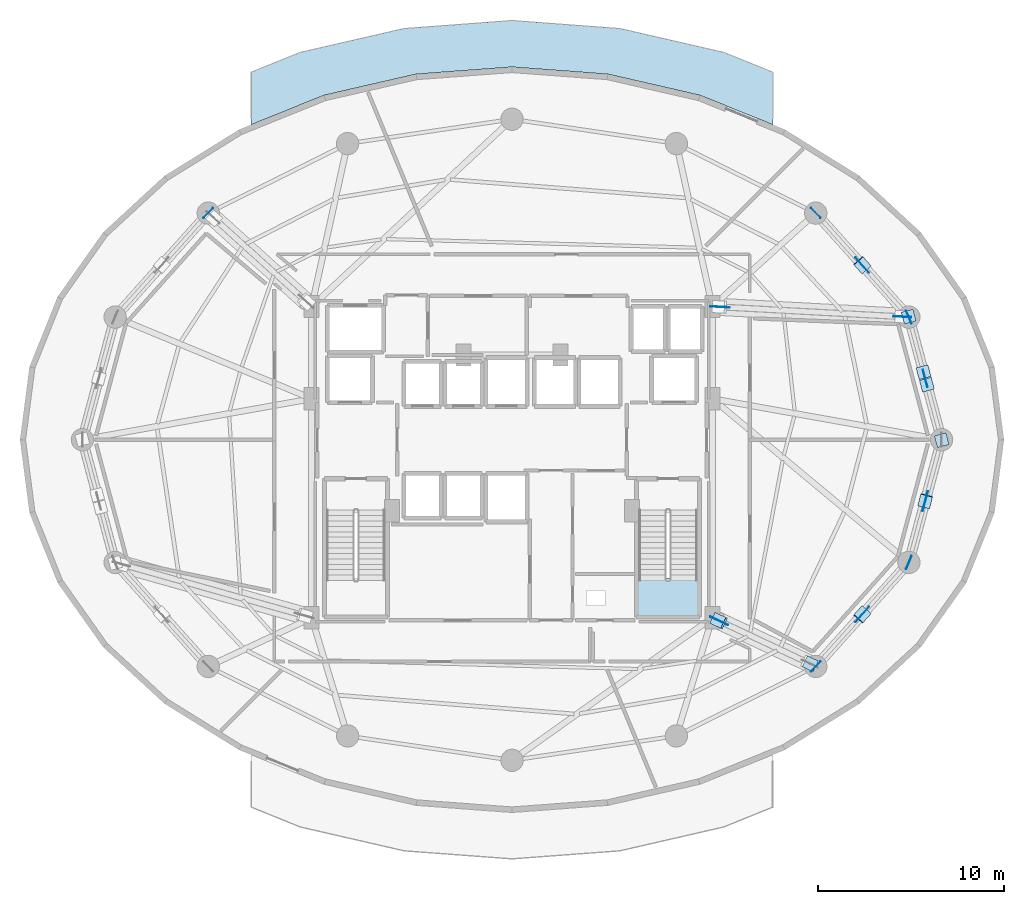
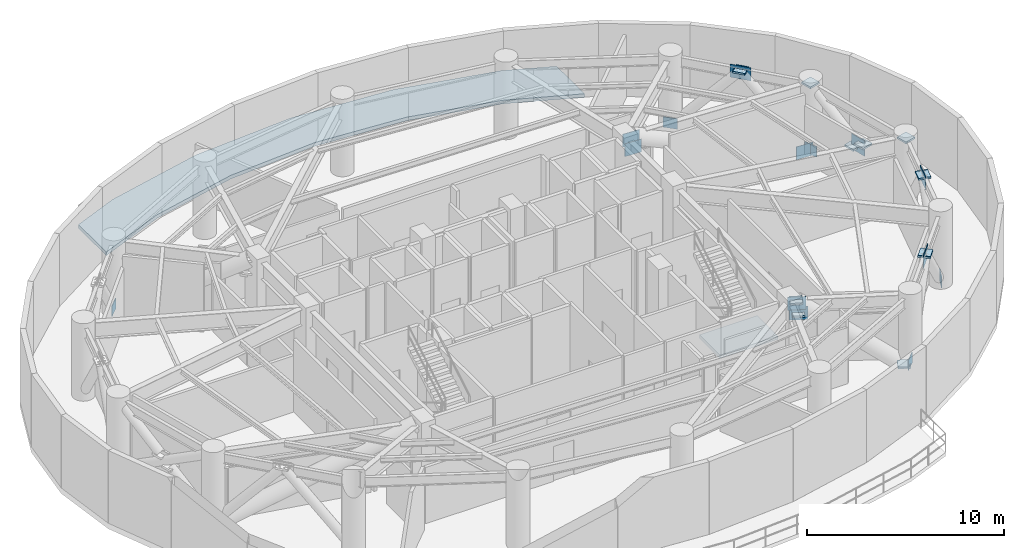
# One storey, part 5 of 10: 27 plates, 2 slabs, 1 element without a shape of its own.
"""IFC4 building model written with IfcOpenShell, lengths in metres."""

import ifcopenshell
import ifcopenshell.guid

model = None  # the IFC model being written
_history = None  # IfcOwnerHistory: only IFC2X3 demands one
_inside = {}  # id of a spatial element -> (the spatial element, [elements in it])
_under = {}  # id of a project, library or spatial element -> (it, [spatial elements below it])
_declared = {}  # id of a project -> (the project, [libraries it declares])
_typed = {}  # id of a type object -> (the type object, [elements of that type])
_made_of = {}  # id of a material, layer set ... -> (it, [elements and type objects made of it])


def new_model(schema):
    """Start an empty IFC model of exactly this schema.

    Asked for "IFC4X3", IfcOpenShell would pick the latest addendum, in which some entities
    have other attributes; the version numbers below select the first issue.
    IFC2X3 requires an IfcOwnerHistory on every rooted entity: one is made here for all.
    """
    global model, _history
    if schema == "IFC4X3":
        model = ifcopenshell.file(schema_version=(4, 3, 0, 0))
    else:
        model = ifcopenshell.file(schema=schema)
    _inside.clear()
    _under.clear()
    _declared.clear()
    _typed.clear()
    _made_of.clear()
    _history = None
    if model.schema == "IFC2X3":
        org = make("IfcOrganization", Name="unknown")
        user = make(
            "IfcPersonAndOrganization",
            ThePerson=make("IfcPerson", FamilyName="unknown"),
            TheOrganization=org,
        )
        app = make(
            "IfcApplication",
            ApplicationDeveloper=org,
            Version="unknown",
            ApplicationFullName="unknown",
            ApplicationIdentifier="unknown",
        )
        _history = make(
            "IfcOwnerHistory",
            OwningUser=user,
            OwningApplication=app,
            ChangeAction="ADDED",
            CreationDate=0,
        )
    return model


def make(cls, **values):
    """One entity of the class cls with the attributes given. An attribute that is None is left unset."""
    return model.create_entity(
        cls, **{name: value for name, value in values.items() if value is not None}
    )


def rooted(cls, **values):
    """An entity with a GlobalId (a new one), such as an element, a storey or a relation."""
    return make(cls, GlobalId=ifcopenshell.guid.new(), OwnerHistory=_history, **values)


def si_unit(unit_type, name, prefix=None):
    """IfcSIUnit, for example si_unit("LENGTHUNIT", "METRE", prefix="MILLI")."""
    return make("IfcSIUnit", UnitType=unit_type, Prefix=prefix, Name=name)


def assignment(units):
    """IfcUnitAssignment: the units of a project."""
    return None if units is None else make("IfcUnitAssignment", Units=units)


def point(xyz):
    """IfcCartesianPoint."""
    return None if xyz is None else make("IfcCartesianPoint", Coordinates=xyz)


def direction(xyz):
    """IfcDirection."""
    return None if xyz is None else make("IfcDirection", DirectionRatios=xyz)


def frame(location, z_axis=None, x_axis=None):
    """IfcAxis2Placement3D, a coordinate frame: its origin and axes. An axis left out is left unset."""
    return make(
        "IfcAxis2Placement3D",
        Location=point(location),
        Axis=direction(z_axis),
        RefDirection=direction(x_axis),
    )


def frame_2d(location, x_axis=None):
    """IfcAxis2Placement2D, a coordinate frame in the plane: its origin and x axis."""
    return make(
        "IfcAxis2Placement2D", Location=point(location), RefDirection=direction(x_axis)
    )


def origin():
    """The frame at (0, 0, 0) with its axes left unset."""
    return frame((0.0, 0.0, 0.0))


def origin_2d():
    """The frame at (0, 0) in the plane with its x axis left unset."""
    return frame_2d((0.0, 0.0))


def place(relative_to, where):
    """IfcLocalPlacement: puts the frame where relative to a parent placement (None: the world)."""
    return make(
        "IfcLocalPlacement", PlacementRelTo=relative_to, RelativePlacement=where
    )


def context(
    kind, dimensions, precision=None, world=None, true_north=None, identifier=None
):
    """IfcGeometricRepresentationContext, for example the 3D "Model" context."""
    return make(
        "IfcGeometricRepresentationContext",
        ContextIdentifier=identifier,
        ContextType=kind,
        CoordinateSpaceDimension=dimensions,
        Precision=precision,
        WorldCoordinateSystem=world,
        TrueNorth=true_north,
    )


def subcontext(parent, identifier, kind, view, scale=None):
    """IfcGeometricRepresentationSubContext, for example "Body" below "Model"."""
    return make(
        "IfcGeometricRepresentationSubContext",
        ContextIdentifier=identifier,
        ContextType=kind,
        ParentContext=parent,
        TargetScale=scale,
        TargetView=view,
    )


def project(units=None, contexts=None):
    """IfcProject with its units and contexts."""
    return rooted(
        "IfcProject",
        Name="project",
        RepresentationContexts=contexts,
        UnitsInContext=assignment(units),
    )


def spatial(cls, under=None, at=None, **own):
    """A site, building, storey or space (cls), placed at a placement, below another one or the project."""
    s = rooted(cls, ObjectPlacement=at, **own)
    if under is not None:
        _under.setdefault(under.id(), (under, []))[1].append(s)
    return s


def polyline(points):
    """IfcPolyline through the points."""
    return make("IfcPolyline", Points=[point(p) for p in points])


def profile(cls, at=None, kind="AREA", **sizes):
    """A parametric profile (cls). Its sizes go by their IFC names, for example OverallWidth=200.0."""
    return make(cls, ProfileType=kind, Position=at, **sizes)


def rectangle(**sizes):
    """IfcRectangleProfileDef."""
    return profile("IfcRectangleProfileDef", **sizes)


def outline(outer, holes=None, kind="AREA"):
    """IfcArbitraryClosedProfileDef: a profile drawn as a closed curve; with holes, ...WithVoids."""
    if holes is None:
        return make("IfcArbitraryClosedProfileDef", ProfileType=kind, OuterCurve=outer)
    return make(
        "IfcArbitraryProfileDefWithVoids",
        ProfileType=kind,
        OuterCurve=outer,
        InnerCurves=holes,
    )


def extrude(swept, where, along, depth):
    """IfcExtrudedAreaSolid: the profile swept, set in the frame where, extruded along a direction by depth."""
    return make(
        "IfcExtrudedAreaSolid",
        SweptArea=swept,
        Position=where,
        ExtrudedDirection=direction(along),
        Depth=depth,
    )


def shape(context_of_items, identifier, shape_type, items):
    """IfcShapeRepresentation: the items that make up one representation, for example the "Body"."""
    return make(
        "IfcShapeRepresentation",
        ContextOfItems=context_of_items,
        RepresentationIdentifier=identifier,
        RepresentationType=shape_type,
        Items=items,
    )


def material(Name=None, Category=None):
    """IfcMaterial."""
    return make("IfcMaterial", Name=Name, Category=Category)


def layer(
    of_material, thickness, ventilated=None, Name=None, Category=None, Priority=None
):
    """IfcMaterialLayer: one layer of a wall or slab, of a material (None: an air gap)."""
    return make(
        "IfcMaterialLayer",
        Material=of_material,
        LayerThickness=thickness,
        IsVentilated=ventilated,
        Name=Name,
        Category=Category,
        Priority=Priority,
    )


def layer_set(layers, Name=None):
    """IfcMaterialLayerSet."""
    return make("IfcMaterialLayerSet", MaterialLayers=layers, LayerSetName=Name)


def made_of(thing, what):
    """Note that an element or type object is made of a material, layer set ...; save() writes the relation."""
    if what is not None:
        _made_of.setdefault(what.id(), (what, []))[1].append(thing)
    return thing


def type_object(cls, material=None, **own):
    """A type object (cls), such as IfcWallType, which elements share."""
    return made_of(rooted(cls, **own), material)


def element(
    cls,
    number,
    at=None,
    inside=None,
    cuts=None,
    type_object=None,
    material=None,
    context=None,
    identifier="Body",
    shape_type=None,
    held_by="IfcProductDefinitionShape",
    body=None,
    shapes=None,
    **own,
):
    """One element of the class cls, such as IfcWall. Its Tag is "e" and its number.

    at: its placement. inside: the storey or other place that contains it. cuts: it is an
    opening in that element (IfcRelVoidsElement). A single representation is given by context,
    identifier, shape_type and body (its items); several are given by shapes. held_by: the class
    of the entity that holds the representations. save() writes the other relations.
    """
    e = rooted(cls, Tag="e%d" % number, ObjectPlacement=at, **own)
    if body is not None:
        shapes = [shape(context, identifier, shape_type, body)]
    if shapes is not None:
        e.Representation = make(held_by, Representations=shapes)
    if inside is not None:
        _inside.setdefault(inside.id(), (inside, []))[1].append(e)
    if cuts is not None:
        rooted(
            "IfcRelVoidsElement", RelatingBuildingElement=cuts, RelatedOpeningElement=e
        )
    if type_object is not None:
        _typed.setdefault(type_object.id(), (type_object, []))[1].append(e)
    return made_of(e, material)


def aggregate(whole, parts):
    """IfcRelAggregates: a whole, such as a stair, and the parts it consists of."""
    return rooted("IfcRelAggregates", RelatingObject=whole, RelatedObjects=parts)


def save(model, path):
    """Write the relations noted so far, then the file.

    IfcRelAggregates (storeys below a building ...), IfcRelContainedInSpatialStructure (elements
    in a storey), IfcRelDefinesByType, IfcRelAssociatesMaterial and IfcRelDeclares: one each for
    every whole, place, type object, material and project.
    """
    for whole, parts in _under.values():
        aggregate(whole, parts)
    for where, things in _inside.values():
        rooted(
            "IfcRelContainedInSpatialStructure",
            RelatedElements=things,
            RelatingStructure=where,
        )
    for kind, things in _typed.values():
        rooted("IfcRelDefinesByType", RelatedObjects=things, RelatingType=kind)
    for what, things in _made_of.values():
        rooted("IfcRelAssociatesMaterial", RelatedObjects=things, RelatingMaterial=what)
    for by, libraries in _declared.values():
        rooted("IfcRelDeclares", RelatingContext=by, RelatedDefinitions=libraries)
    model.write(path)


model = new_model("IFC4")

# Units and contexts
model_context = context("Model", 3, precision=1e-05, world=origin(), true_north=direction((0.0, 1.0)))
body_context = subcontext(model_context, "Body", "Model", "MODEL_VIEW")
ifc_project = project(units=[si_unit("LENGTHUNIT", "METRE"), si_unit("AREAUNIT", "SQUARE_METRE"), si_unit("VOLUMEUNIT", "CUBIC_METRE"), si_unit("PLANEANGLEUNIT", "RADIAN"), si_unit("MASSUNIT", "GRAM", prefix="KILO")], contexts=[model_context])

# Site, building, storey
site_placement = place(None, origin())
site = spatial("IfcSite", under=ifc_project, at=site_placement, CompositionType="ELEMENT")
building_placement = place(site_placement, origin())
building = spatial("IfcBuilding", under=site, at=building_placement, Name="Vorneva Point Tower", CompositionType="ELEMENT")
storey_placement = place(building_placement, frame((0.0, 0.0, 69.5)))
storey = spatial("IfcBuildingStorey", under=building, at=storey_placement, Name="L18", CompositionType="ELEMENT", Elevation=69.5)

# Plates
ifc_material_1 = material(Name="Steel S355", Category="steel")
ifc_layer_1 = layer(ifc_material_1, 0.028076171875)
ifc_layer_set_1 = layer_set([ifc_layer_1], Name="Steel S355")
plate_type_1 = type_object("IfcPlateType", Name="PLT-CAP-INT", PredefinedType="USERDEFINED", material=ifc_layer_set_1)
for number, where, z_axis, x_axis, name in (
    (1, (59.288818359375, 32.606689453125, 4.3095703125), (0.0, 0.0, 1.0), (-0.257571294219, 0.966259296666, 0.0), "L18 Perimeter Belt-Truss Continuous X-Brace 01A end closure plate 2"),
    (2, (60.0830078125, 29.627685546875, 1.962890625), (0.0, 0.0, 1.0), (0.257571294219, -0.966259296666, 0.0), "L18 Perimeter Belt-Truss Split X-Brace 01B1 end closure plate 2"),
    (3, (60.262451171875, 28.95458984375, 2.3955078125), (0.0, 0.0, 1.0), (0.257571294219, -0.966259296666, 0.0), "L18 Perimeter Belt-Truss Split X-Brace 01B2 end closure plate 1"),
    (4, (61.056640625, 25.975341796875, 4.3095703125), (0.0, 0.0, 1.0), (0.257571294219, -0.966259296666, 0.0), "L18 Perimeter Belt-Truss Split X-Brace 01B2 end closure plate 2"),
    (5, (56.78369140625, 35.386962890625, 4.31640625), (0.0, 0.0, 1.0), (-0.667091755948, 0.744975562784, 0.0), "L18 Perimeter Belt-Truss Diagonal 02A end closure plate 2"),
    (6, (56.810302734375, 35.357421875, 4.31640625), (0.0, 0.0, 1.0), (0.667091755948, -0.744975562784, 0.0), "L18 Perimeter Belt-Truss Diagonal 02B end closure plate 2"),
    (7, (56.810302734375, 16.642578125, 4.31640625), (0.0, 0.0, 1.0), (0.667091755948, 0.744975562784, 0.0), "L18 Perimeter Belt-Truss Diagonal 15A end closure plate 2"),
    (8, (56.78369140625, 16.613037109375, 4.31640625), (0.0, 0.0, 1.0), (-0.667091755948, -0.744975562784, 0.0), "L18 Perimeter Belt-Truss Diagonal 15B end closure plate 2"),
    (9, (60.177490234375, 22.72705078125, 4.3173828125), (0.0, 0.0, 1.0), (0.257571294219, 0.966259296666, 0.0), "L18 Perimeter Belt-Truss Diagonal 16A end closure plate 2"),
    (10, (60.16796875, 22.690673828125, 4.3173828125), (0.0, 0.0, 1.0), (-0.257571294219, -0.966259296666, 0.0), "L18 Perimeter Belt-Truss Diagonal 16B end closure plate 2"),
    (11, (49.04541015625, 16.31103515625, 4.3125), (0.0, 0.0, 1.0), (0.904760160049, -0.425921416213, 0.0), "L18 Core Outrigger Diagonal 15A end closure plate 1"),
    (12, (54.00341796875, 13.976806640625, 0.04541015625), (0.0, 0.0, 1.0), (0.904760160049, -0.425921416213, 0.0), "L18 Core Outrigger Diagonal 15A end closure plate 2"),
    (13, (49.1298828125, 16.27099609375, 3.51416015625), (0.0, 0.0, 1.0), (0.904760160049, -0.425921416213, 0.0), "L18 Core Outrigger Collector Strut 15B end closure plate 1"),
):
    element("IfcPlate", number, at=place(storey_placement, frame(where, z_axis=z_axis, x_axis=x_axis)), inside=storey, type_object=plate_type_1, Name=name, ObjectType="BASE PLATE", PredefinedType="USERDEFINED", context=body_context, shape_type="SweptSolid", body=[
        extrude(rectangle(XDim=0.64990234375, YDim=0.64990234375, at=origin_2d()), origin(), (0.0, 0.0, 1.0), 0.112060546875),
    ])
ifc_material_2 = material(Name="Steel S460", Category="steel")
ifc_layer_2 = layer(ifc_material_2, 0.031982421875)
ifc_layer_set_2 = layer_set([ifc_layer_2], Name="Steel S460")
plate_type_2 = type_object("IfcPlateType", Name="PLT-GUS-32", PredefinedType="USERDEFINED", material=ifc_layer_set_2)
plate_placement = place(storey_placement, frame((60.172607421875, 29.291015625, 1.76025390625), z_axis=(0.0, 0.0, 1.0), x_axis=(-0.257571294219, 0.966259296666, 0.0)))
element("IfcPlate", 14, at=plate_placement, inside=storey, type_object=plate_type_2, Name="L18 Belt-Truss X-Brace Central Node Gusset Plate 01", ObjectType="GUSSET PLATE", PredefinedType="USERDEFINED", context=body_context, shape_type="SweptSolid", body=[
    extrude(rectangle(XDim=0.949951171875, YDim=0.031982421875, at=origin_2d()), origin(), (0.0, 0.0, 1.0), 0.949951171875),
])
for number, where, z_axis, x_axis, name in (
    (15, (56.797119140625, 35.372314453125, 3.81005859375), (0.0, 0.0, 1.0), (-0.667091755948, 0.744975562784, 0.0), "L18 Belt-Truss Apex Gusset Plate 02"),
    (16, (56.797119140625, 16.627685546875, 3.81005859375), (0.0, 0.0, 1.0), (0.667091755948, 0.744975562784, 0.0), "L18 Belt-Truss Apex Gusset Plate 15"),
    (17, (60.172607421875, 22.708984375, 3.81005859375), (0.0, 0.0, 1.0), (0.257571294219, 0.966259296666, 0.0), "L18 Belt-Truss Apex Gusset Plate 16"),
):
    element("IfcPlate", number, at=place(storey_placement, frame(where, z_axis=z_axis, x_axis=x_axis)), inside=storey, type_object=plate_type_2, Name=name, ObjectType="GUSSET PLATE", PredefinedType="USERDEFINED", context=body_context, shape_type="SweptSolid", body=[
        extrude(rectangle(XDim=1.10009765625, YDim=0.031982421875, at=origin_2d()), origin(), (0.0, 0.0, 1.0), 0.800048828125),
    ])
for number, where, z_axis, x_axis, name in (
    (18, (59.29541015625, 32.582275390625, -0.054931640625), (0.0, 0.0, 1.0), (-0.382683432365, 0.923879532511, 0.0), "L18 Belt-Truss Column Base Gusset Plate 02"),
    (19, (54.298828125, 38.162109375, -0.054931640625), (0.0, 0.0, 1.0), (-0.707106781187, 0.707106781187, 0.0), "L18 Belt-Truss Column Base Gusset Plate 03"),
    (20, (21.701171875, 38.162109375, -0.054931640625), (0.0, 0.0, 1.0), (-0.707106781187, -0.707106781187, 0.0), "L18 Belt-Truss Column Base Gusset Plate 07"),
    (21, (54.298828125, 13.837890625, -0.054931640625), (0.0, 0.0, 1.0), (0.707106781187, 0.707106781187, 0.0), "L18 Belt-Truss Column Base Gusset Plate 15"),
    (22, (59.29541015625, 19.417724609375, -0.054931640625), (0.0, 0.0, 1.0), (0.382683432365, 0.923879532511, 0.0), "L18 Belt-Truss Column Base Gusset Plate 16"),
):
    element("IfcPlate", number, at=place(storey_placement, frame(where, z_axis=z_axis, x_axis=x_axis)), inside=storey, type_object=plate_type_2, Name=name, ObjectType="GUSSET PLATE", PredefinedType="USERDEFINED", context=body_context, shape_type="SweptSolid", body=[
        extrude(rectangle(XDim=0.75, YDim=0.031982421875, at=origin_2d()), origin(), (0.0, 0.0, 1.0), 0.64990234375),
    ])
for number, where, z_axis, x_axis, name in (
    (23, (49.099609375, 33.131103515625, 3.7900390625), (0.0, 0.0, 1.0), (0.99855361041, -0.053765110774, 0.0), "L18 Outrigger Core Wall Anchorage Gusset 02"),
    (24, (49.19921875, 33.125732421875, 3.169921875), (0.0, 0.0, 1.0), (0.99855361041, -0.053765110774, 0.0), "L18 Outrigger Core Collector Link Gusset 02"),
    (25, (58.94580078125, 32.60107421875, -0.1201171875), (0.0, 0.0, 1.0), (0.99855361041, -0.053765110774, 0.0), "L18 Outrigger Perimeter Column Gusset 02"),
    (26, (49.066650390625, 16.30078125, 3.7900390625), (0.0, 0.0, 1.0), (0.90475272618, -0.425937207192, 0.0), "L18 Outrigger Core Wall Anchorage Gusset 15"),
    (27, (49.156982421875, 16.25830078125, 3.169921875), (0.0, 0.0, 1.0), (0.90475272618, -0.425937207192, 0.0), "L18 Outrigger Core Collector Link Gusset 15"),
):
    element("IfcPlate", number, at=place(storey_placement, frame(where, z_axis=z_axis, x_axis=x_axis)), inside=storey, type_object=plate_type_2, Name=name, ObjectType="GUSSET PLATE", PredefinedType="USERDEFINED", context=body_context, shape_type="SweptSolid", body=[
        extrude(rectangle(XDim=0.949951171875, YDim=0.031982421875, at=origin_2d()), origin(), (0.0, 0.0, 1.0), 0.800048828125),
    ])

# Slab
ifc_material_3 = material(Name="Concrete B50 (C40/50)", Category="concrete")
ifc_layer_3 = layer(ifc_material_3, 0.219970703125)
ifc_layer_set_3 = layer_set([ifc_layer_3], Name="Concrete B50 (C40/50)")
slab_type_1 = type_object("IfcSlabType", Name="SLB-BAL-220", PredefinedType="FLOOR", material=ifc_layer_set_3)
slab_1_placement = place(storey_placement, frame((0.0, 0.0, -0.219970703125)))
element("IfcSlab", 28, at=slab_1_placement, inside=storey, type_object=slab_type_1, Name="L18 Recessed Sky Garden Terrace NORTH", PredefinedType="FLOOR", context=body_context, shape_type="SweptSolid", body=[
    extrude(outline(polyline([(24.0, 45.720703125), (24.0, 42.90380859375), (27.895751953125, 44.481201171875), (27.89599609375, 44.4814453125), (27.896240234375, 44.4814453125), (32.8486328125, 45.61962890625), (32.84912109375, 45.61962890625), (32.849365234375, 45.61962890625), (37.999755859375, 46.00390625), (38.0, 46.00390625), (38.000244140625, 46.00390625), (43.150634765625, 45.61962890625), (43.15087890625, 45.61962890625), (43.1513671875, 45.61962890625), (48.103759765625, 44.4814453125), (48.10400390625, 44.4814453125), (48.104248046875, 44.481201171875), (52.0, 42.90380859375), (52.0, 45.720703125), (49.36572265625, 46.787353515625), (43.794189453125, 48.067626953125), (38.0, 48.5), (32.205810546875, 48.067626953125), (26.63427734375, 46.787353515625), (24.0, 45.720703125)])), origin(), (0.0, 0.0, 1.0), 0.219970703125),
])

# Stair, slab
stair_type = type_object("IfcStairType", Name="ST-DOG-1500", PredefinedType="HALF_TURN_STAIR", material=ifc_material_3)
stair_placement = place(storey_placement, origin())
stair = element("IfcStair", 29, at=stair_placement, inside=storey, type_object=stair_type, Name="L18 ST2", PredefinedType="HALF_TURN_STAIR")
ifc_layer_4 = layer(ifc_material_3, 0.199951171875)
ifc_layer_set_4 = layer_set([ifc_layer_4], Name="Concrete B50 (C40/50)")
slab_type_2 = type_object("IfcSlabType", Name="SLB-LND-200", PredefinedType="LANDING", material=ifc_layer_set_4)
slab_2_placement = place(storey_placement, frame((0.0, 0.0, 2.199951171875)))
slab_2 = element("IfcSlab", 30, at=slab_2_placement, type_object=slab_type_2, Name="ST2 landing 1", PredefinedType="LANDING", context=body_context, shape_type="SweptSolid", body=[
    extrude(outline(polyline([(44.679931640625, 16.47998046875), (48.070068359375, 16.47998046875), (48.070068359375, 18.570068359375), (44.679931640625, 18.570068359375), (44.679931640625, 16.47998046875)])), origin(), (0.0, 0.0, 1.0), 0.199951171875),
])
aggregate(stair, [slab_2])

save(model, "model.ifc")
